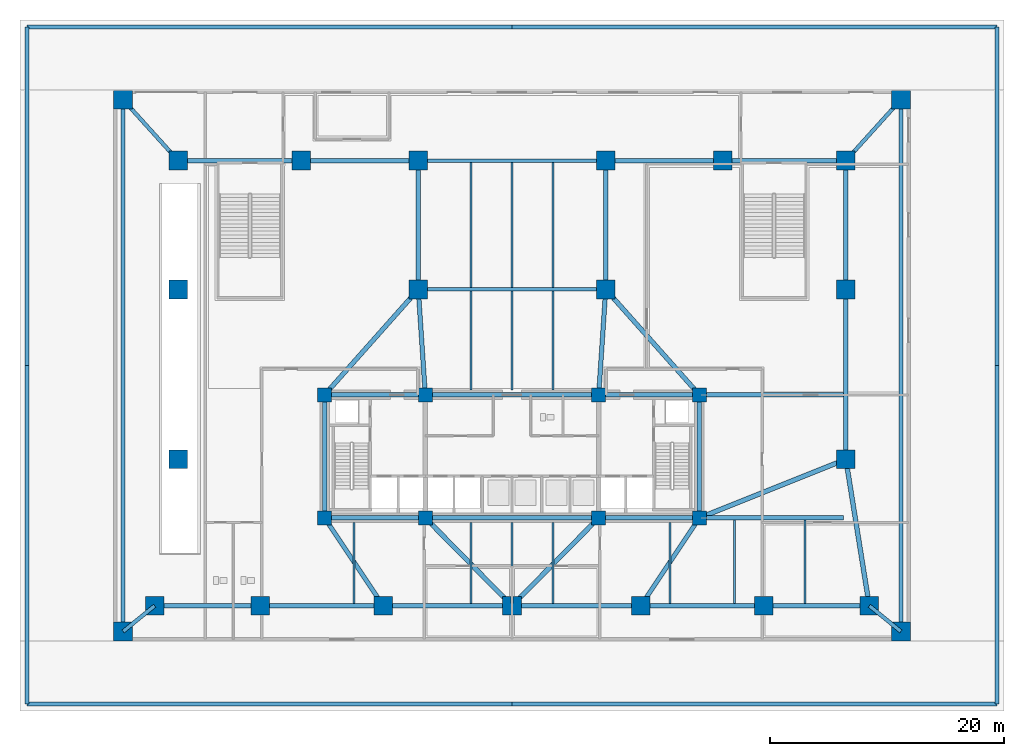
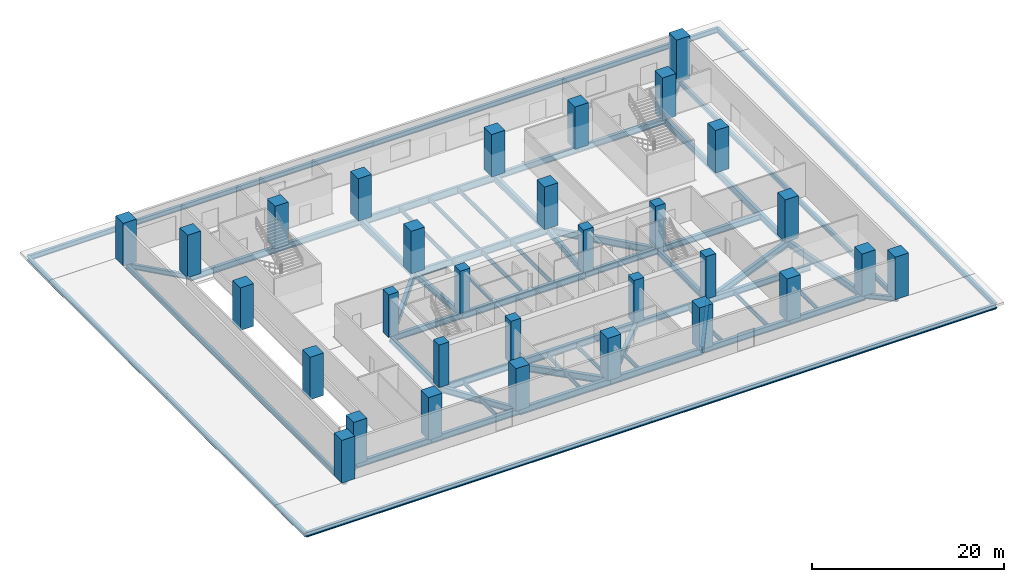
# One storey, part 1 of 15: 63 beams, 31 columns.
"""IFC4 building model written with IfcOpenShell, lengths in metres."""

from ifc_helpers import new_model, si_unit, direction, frame, origin, origin_2d, place, context, subcontext, project, spatial, rectangle, i_section, extrude, material, material_profile, profile_set, type_object, element, save


model = new_model("IFC4")

# Units and contexts
model_context = context("Model", 3, precision=1e-05, world=origin(), true_north=direction((0.0, 1.0)))
body_context = subcontext(model_context, "Body", "Model", "MODEL_VIEW")
ifc_project = project(units=[si_unit("LENGTHUNIT", "METRE"), si_unit("AREAUNIT", "SQUARE_METRE"), si_unit("VOLUMEUNIT", "CUBIC_METRE"), si_unit("PLANEANGLEUNIT", "RADIAN"), si_unit("MASSUNIT", "GRAM", prefix="KILO")], contexts=[model_context])

# Site, building, storey
site_placement = place(None, origin())
site = spatial("IfcSite", under=ifc_project, at=site_placement, CompositionType="ELEMENT")
building_placement = place(site_placement, origin())
building = spatial("IfcBuilding", under=site, at=building_placement, Name="Solmavex Isthmus Hotel", CompositionType="ELEMENT")
storey_placement = place(building_placement, origin())
storey = spatial("IfcBuildingStorey", under=building, at=storey_placement, Name="L01", CompositionType="ELEMENT", Elevation=0.0)

# Columns
ifc_material_1 = material(Name="Concrete C70/85", Category="concrete")
ifc_material_profile_1 = material_profile(ifc_material_1, rectangle(XDim=1.199951171875, YDim=1.199951171875, at=origin_2d()), Name="RC1200X1200")
ifc_profile_set_1 = profile_set([ifc_material_profile_1], Name="Concrete C70/85")
column_type_1 = type_object("IfcColumnType", Name="COL-CC-1200", PredefinedType="COLUMN", material=ifc_profile_set_1)
for number, where, z_axis, x_axis, name in (
    (1, (-16.0, -13.0, 0.0), (0.0, 0.0, 1.0), (1.0, 0.0, 0.0), "Core Pilaster CC-SW L01"),
    (2, (-7.39990234375, -13.0, 0.0), (0.0, 0.0, 1.0), (1.0, 0.0, 0.0), "Core Pilaster CC-S1 L01"),
    (3, (7.39990234375, -13.0, 0.0), (0.0, 0.0, 1.0), (1.0, 0.0, 0.0), "Core Pilaster CC-S2 L01"),
    (4, (16.0, -13.0, 0.0), (0.0, 0.0, 1.0), (1.0, 0.0, 0.0), "Core Pilaster CC-SE L01"),
    (5, (-16.0, -2.5, 0.0), (0.0, 0.0, 1.0), (1.0, 0.0, 0.0), "Core Pilaster CC-NW L01"),
    (6, (-7.39990234375, -2.5, 0.0), (0.0, 0.0, 1.0), (1.0, 0.0, 0.0), "Core Pilaster CC-N1 L01"),
    (7, (7.39990234375, -2.5, 0.0), (0.0, 0.0, 1.0), (1.0, 0.0, 0.0), "Core Pilaster CC-N2 L01"),
    (8, (16.0, -2.5, 0.0), (0.0, 0.0, 1.0), (1.0, 0.0, 0.0), "Core Pilaster CC-NE L01"),
):
    element("IfcColumn", number, at=place(storey_placement, frame(where, z_axis=z_axis, x_axis=x_axis)), inside=storey, type_object=column_type_1, Name=name, PredefinedType="COLUMN", context=body_context, shape_type="SweptSolid", body=[
        extrude(rectangle(XDim=1.199951171875, YDim=1.199951171875, at=origin_2d()), origin(), (0.0, 0.0, 1.0), 5.39990234375),
    ])
ifc_material_profile_2 = material_profile(ifc_material_1, rectangle(XDim=1.60009765625, YDim=1.60009765625, at=origin_2d()), Name="RC1600X1600")
ifc_profile_set_2 = profile_set([ifc_material_profile_2], Name="Concrete C70/85")
column_type_2 = type_object("IfcColumnType", Name="COL-MC-1600", PredefinedType="COLUMN", material=ifc_profile_set_2)
for number, where, z_axis, x_axis, name in (
    (9, (-33.199951171875, -22.699951171875, 0.0), (0.0, 0.0, 1.0), (1.0, 0.0, 0.0), "Podium Mega Column MC-SW L01"),
    (10, (33.199951171875, -22.699951171875, 0.0), (0.0, 0.0, 1.0), (1.0, 0.0, 0.0), "Podium Mega Column MC-SE L01"),
    (11, (-33.199951171875, 22.699951171875, 0.0), (0.0, 0.0, 1.0), (1.0, 0.0, 0.0), "Podium Mega Column MC-NW L01"),
    (12, (33.199951171875, 22.699951171875, 0.0), (0.0, 0.0, 1.0), (1.0, 0.0, 0.0), "Podium Mega Column MC-NE L01"),
    (13, (-30.5, -20.5, 0.0), (0.0, 0.0, 1.0), (1.0, 0.0, 0.0), "Podium Mega Column MC-S1 L01"),
    (14, (-21.5, -20.5, 0.0), (0.0, 0.0, 1.0), (1.0, 0.0, 0.0), "Podium Mega Column MC-S2 L01"),
    (15, (-11.0, -20.5, 0.0), (0.0, 0.0, 1.0), (1.0, 0.0, 0.0), "Podium Mega Column MC-S3 L01"),
    (16, (0.0, -20.5, 0.0), (0.0, 0.0, 1.0), (1.0, 0.0, 0.0), "Podium Mega Column MC-S4 L01"),
    (17, (11.0, -20.5, 0.0), (0.0, 0.0, 1.0), (1.0, 0.0, 0.0), "Podium Mega Column MC-S5 L01"),
    (18, (21.5, -20.5, 0.0), (0.0, 0.0, 1.0), (1.0, 0.0, 0.0), "Podium Mega Column MC-S6 L01"),
    (19, (30.5, -20.5, 0.0), (0.0, 0.0, 1.0), (1.0, 0.0, 0.0), "Podium Mega Column MC-S7 L01"),
    (20, (-28.5, -8.0, 0.0), (0.0, 0.0, 1.0), (1.0, 0.0, 0.0), "Podium Mega Column MC-W1 L01"),
    (21, (28.5, -8.0, 0.0), (0.0, 0.0, 1.0), (1.0, 0.0, 0.0), "Podium Mega Column MC-E1 L01"),
    (22, (-28.5, 6.5, 0.0), (0.0, 0.0, 1.0), (1.0, 0.0, 0.0), "Podium Mega Column MC-M1 L01"),
    (23, (-8.0, 6.5, 0.0), (0.0, 0.0, 1.0), (1.0, 0.0, 0.0), "Podium Mega Column MC-M2 L01"),
    (24, (8.0, 6.5, 0.0), (0.0, 0.0, 1.0), (1.0, 0.0, 0.0), "Podium Mega Column MC-M3 L01"),
    (25, (28.5, 6.5, 0.0), (0.0, 0.0, 1.0), (1.0, 0.0, 0.0), "Podium Mega Column MC-M4 L01"),
    (26, (-28.5, 17.5, 0.0), (0.0, 0.0, 1.0), (1.0, 0.0, 0.0), "Podium Mega Column MC-N1 L01"),
    (27, (-18.0, 17.5, 0.0), (0.0, 0.0, 1.0), (1.0, 0.0, 0.0), "Podium Mega Column MC-N2 L01"),
    (28, (-8.0, 17.5, 0.0), (0.0, 0.0, 1.0), (1.0, 0.0, 0.0), "Podium Mega Column MC-N3 L01"),
    (29, (8.0, 17.5, 0.0), (0.0, 0.0, 1.0), (1.0, 0.0, 0.0), "Podium Mega Column MC-N4 L01"),
    (30, (18.0, 17.5, 0.0), (0.0, 0.0, 1.0), (1.0, 0.0, 0.0), "Podium Mega Column MC-N5 L01"),
    (31, (28.5, 17.5, 0.0), (0.0, 0.0, 1.0), (1.0, 0.0, 0.0), "Podium Mega Column MC-N6 L01"),
):
    element("IfcColumn", number, at=place(storey_placement, frame(where, z_axis=z_axis, x_axis=x_axis)), inside=storey, type_object=column_type_2, Name=name, PredefinedType="COLUMN", context=body_context, shape_type="SweptSolid", body=[
        extrude(rectangle(XDim=1.60009765625, YDim=1.60009765625, at=origin_2d()), origin(), (0.0, 0.0, 1.0), 5.39990234375),
    ])

# Beams
ifc_material_2 = material(Name="Steel ASTM A992 Grade 50", Category="steel")
ifc_material_profile_3 = material_profile(ifc_material_2, i_section(OverallWidth=0.380615234375, OverallDepth=0.773193359375, WebThickness=0.0166015625, FlangeThickness=0.027099609375, FilletRadius=0.01904296875, at=origin_2d()), Name="W30X173")
ifc_profile_set_3 = profile_set([ifc_material_profile_3], Name="Steel ASTM A992 Grade 50")
beam_type_1 = type_object("IfcBeamType", Name="BM-BG-W30X173", PredefinedType="BEAM", material=ifc_profile_set_3)
beam_1_placement = place(storey_placement, frame((-30.5, -20.5, -0.6865234375), z_axis=(1.0, 0.0, 0.0), x_axis=(0.0, 1.0, 0.0)))
element("IfcBeam", 32, at=beam_1_placement, inside=storey, type_object=beam_type_1, Name="Podium Primary Girder L01-G01", PredefinedType="BEAM", context=body_context, shape_type="SweptSolid", body=[
    extrude(i_section(OverallWidth=0.380615234375, OverallDepth=0.773193359375, WebThickness=0.0166015625, FlangeThickness=0.027099609375, FilletRadius=0.01904296875, at=origin_2d()), origin(), (0.0, 0.0, 1.0), 9.0),
])
for number, where, z_axis, x_axis, name in (
    (33, (-21.5, -20.5, -0.6865234375), (1.0, 0.0, 0.0), (0.0, 1.0, 0.0), "Podium Primary Girder L01-G02"),
    (34, (11.0, -20.5, -0.6865234375), (1.0, 0.0, 0.0), (0.0, 1.0, 0.0), "Podium Primary Girder L01-G05"),
):
    element("IfcBeam", number, at=place(storey_placement, frame(where, z_axis=z_axis, x_axis=x_axis)), inside=storey, type_object=beam_type_1, Name=name, PredefinedType="BEAM", context=body_context, shape_type="SweptSolid", body=[
        extrude(i_section(OverallWidth=0.380615234375, OverallDepth=0.773193359375, WebThickness=0.0166015625, FlangeThickness=0.027099609375, FilletRadius=0.01904296875, at=origin_2d()), origin(), (0.0, 0.0, 1.0), 10.5),
    ])
beam_2_placement = place(storey_placement, frame((21.5, -20.5, -0.6865234375), z_axis=(1.0, 0.0, 0.0), x_axis=(0.0, 1.0, 0.0)))
element("IfcBeam", 35, at=beam_2_placement, inside=storey, type_object=beam_type_1, Name="Podium Primary Girder L01-G06", PredefinedType="BEAM", context=body_context, shape_type="SweptSolid", body=[
    extrude(i_section(OverallWidth=0.380615234375, OverallDepth=0.773193359375, WebThickness=0.0166015625, FlangeThickness=0.027099609375, FilletRadius=0.01904296875, at=origin_2d()), origin(), (0.0, 0.0, 1.0), 9.0),
])
beam_3_placement = place(storey_placement, frame((-28.5, 17.5, -0.6865234375), z_axis=(1.0, 0.0, 0.0), x_axis=(0.0, 1.0, 0.0)))
element("IfcBeam", 36, at=beam_3_placement, inside=storey, type_object=beam_type_1, Name="Podium Primary Girder L01-G07", PredefinedType="BEAM", context=body_context, shape_type="SweptSolid", body=[
    extrude(i_section(OverallWidth=0.380615234375, OverallDepth=0.773193359375, WebThickness=0.0166015625, FlangeThickness=0.027099609375, FilletRadius=0.01904296875, at=origin_2d()), origin(), (0.0, 0.0, 1.0), 10.5),
])
for number, where, z_axis, x_axis, name in (
    (37, (-18.0, 17.5, -0.6865234375), (1.0, 0.0, 0.0), (0.0, 1.0, 0.0), "Podium Primary Girder L01-G08"),
    (38, (8.0, 17.5, -0.6865234375), (1.0, 0.0, 0.0), (0.0, 1.0, 0.0), "Podium Primary Girder L01-G10"),
):
    element("IfcBeam", number, at=place(storey_placement, frame(where, z_axis=z_axis, x_axis=x_axis)), inside=storey, type_object=beam_type_1, Name=name, PredefinedType="BEAM", context=body_context, shape_type="SweptSolid", body=[
        extrude(i_section(OverallWidth=0.380615234375, OverallDepth=0.773193359375, WebThickness=0.0166015625, FlangeThickness=0.027099609375, FilletRadius=0.01904296875, at=origin_2d()), origin(), (0.0, 0.0, 1.0), 10.0),
    ])
beam_4_placement = place(storey_placement, frame((18.0, 17.5, -0.6865234375), z_axis=(1.0, 0.0, 0.0), x_axis=(0.0, 1.0, 0.0)))
element("IfcBeam", 39, at=beam_4_placement, inside=storey, type_object=beam_type_1, Name="Podium Primary Girder L01-G11", PredefinedType="BEAM", context=body_context, shape_type="SweptSolid", body=[
    extrude(i_section(OverallWidth=0.380615234375, OverallDepth=0.773193359375, WebThickness=0.0166015625, FlangeThickness=0.027099609375, FilletRadius=0.01904296875, at=origin_2d()), origin(), (0.0, 0.0, 1.0), 10.5),
])
for number, where, z_axis, x_axis, name in (
    (40, (-11.0, -20.5, -0.6865234375), (-0.554700196225, 0.832050294338, 0.0), (-0.832050294338, -0.554700196225, 0.0), "Podium Primary Girder L01-G21"),
    (41, (11.0, -20.5, -0.6865234375), (0.554700196225, 0.832050294338, 0.0), (-0.832050294338, 0.554700196225, 0.0), "Podium Primary Girder L01-G24"),
):
    element("IfcBeam", number, at=place(storey_placement, frame(where, z_axis=z_axis, x_axis=x_axis)), inside=storey, type_object=beam_type_1, Name=name, PredefinedType="BEAM", context=body_context, shape_type="SweptSolid", body=[
        extrude(i_section(OverallWidth=0.380615234375, OverallDepth=0.773193359375, WebThickness=0.0166015625, FlangeThickness=0.027099609375, FilletRadius=0.01904296875, at=origin_2d()), origin(), (0.0, 0.0, 1.0), 9.013916015625),
    ])
for number, where, z_axis, x_axis, name in (
    (42, (-7.39990234375, -2.5, -0.6865234375), (-0.066529789268, 0.997784439215, 0.0), (-0.997784439215, -0.066529789268, 0.0), "Podium Primary Girder L01-G26"),
    (43, (7.39990234375, -2.5, -0.6865234375), (0.066529789268, 0.997784439215, 0.0), (-0.997784439215, 0.066529789268, 0.0), "Podium Primary Girder L01-G27"),
):
    element("IfcBeam", number, at=place(storey_placement, frame(where, z_axis=z_axis, x_axis=x_axis)), inside=storey, type_object=beam_type_1, Name=name, PredefinedType="BEAM", context=body_context, shape_type="SweptSolid", body=[
        extrude(i_section(OverallWidth=0.380615234375, OverallDepth=0.773193359375, WebThickness=0.0166015625, FlangeThickness=0.027099609375, FilletRadius=0.01904296875, at=origin_2d()), origin(), (0.0, 0.0, 1.0), 9.02001953125),
    ])
for number, where, z_axis, x_axis, name in (
    (44, (-16.0, -13.0, -0.6865234375), (1.0, 0.0, 0.0), (0.0, 1.0, 0.0), "Podium Primary Girder L01-G33"),
    (45, (7.39990234375, -13.0, -0.6865234375), (1.0, 0.0, 0.0), (0.0, 1.0, 0.0), "Podium Primary Girder L01-G35"),
    (46, (-16.0, -2.5, -0.6865234375), (1.0, 0.0, 0.0), (0.0, 1.0, 0.0), "Podium Primary Girder L01-G36"),
    (47, (7.39990234375, -2.5, -0.6865234375), (1.0, 0.0, 0.0), (0.0, 1.0, 0.0), "Podium Primary Girder L01-G38"),
):
    element("IfcBeam", number, at=place(storey_placement, frame(where, z_axis=z_axis, x_axis=x_axis)), inside=storey, type_object=beam_type_1, Name=name, PredefinedType="BEAM", context=body_context, shape_type="SweptSolid", body=[
        extrude(i_section(OverallWidth=0.380615234375, OverallDepth=0.773193359375, WebThickness=0.0166015625, FlangeThickness=0.027099609375, FilletRadius=0.01904296875, at=origin_2d()), origin(), (0.0, 0.0, 1.0), 8.60009765625),
    ])
for number, where, z_axis, x_axis, name in (
    (48, (-16.0, -13.0, -0.6865234375), (0.0, 1.0, 0.0), (-1.0, 0.0, 0.0), "Podium Primary Girder L01-G39"),
    (49, (16.0, -13.0, -0.6865234375), (0.0, 1.0, 0.0), (-1.0, 0.0, 0.0), "Podium Primary Girder L01-G40"),
):
    element("IfcBeam", number, at=place(storey_placement, frame(where, z_axis=z_axis, x_axis=x_axis)), inside=storey, type_object=beam_type_1, Name=name, PredefinedType="BEAM", context=body_context, shape_type="SweptSolid", body=[
        extrude(i_section(OverallWidth=0.380615234375, OverallDepth=0.773193359375, WebThickness=0.0166015625, FlangeThickness=0.027099609375, FilletRadius=0.01904296875, at=origin_2d()), origin(), (0.0, 0.0, 1.0), 10.5),
    ])
for number, where, z_axis, x_axis, name in (
    (50, (16.0, -2.5, -0.6865234375), (1.0, 0.0, 0.0), (0.0, 1.0, 0.0), "Podium Wing Collector Girder L01-EW02"),
    (51, (16.0, -13.0, -0.6865234375), (1.0, 0.0, 0.0), (0.0, 1.0, 0.0), "Podium Wing Collector Girder L01-EW04"),
):
    element("IfcBeam", number, at=place(storey_placement, frame(where, z_axis=z_axis, x_axis=x_axis)), inside=storey, type_object=beam_type_1, Name=name, PredefinedType="BEAM", context=body_context, shape_type="SweptSolid", body=[
        extrude(i_section(OverallWidth=0.380615234375, OverallDepth=0.773193359375, WebThickness=0.0166015625, FlangeThickness=0.027099609375, FilletRadius=0.01904296875, at=origin_2d()), origin(), (0.0, 0.0, 1.0), 12.31005859375),
    ])
ifc_material_profile_4 = material_profile(ifc_material_2, i_section(OverallWidth=0.39990234375, OverallDepth=0.85546875, WebThickness=0.018310546875, FlangeThickness=0.029296875, FilletRadius=0.020263671875, at=origin_2d()), Name="W33X201")
ifc_profile_set_4 = profile_set([ifc_material_profile_4], Name="Steel ASTM A992 Grade 50")
beam_type_2 = type_object("IfcBeamType", Name="BM-BG-W33X201", PredefinedType="BEAM", material=ifc_profile_set_4)
for number, where, z_axis, x_axis, name in (
    (52, (-11.0, -20.5, -0.727783203125), (1.0, 0.0, 0.0), (0.0, 1.0, 0.0), "Podium Primary Girder L01-G03"),
    (53, (0.0, -20.5, -0.727783203125), (1.0, 0.0, 0.0), (0.0, 1.0, 0.0), "Podium Primary Girder L01-G04"),
):
    element("IfcBeam", number, at=place(storey_placement, frame(where, z_axis=z_axis, x_axis=x_axis)), inside=storey, type_object=beam_type_2, Name=name, PredefinedType="BEAM", context=body_context, shape_type="SweptSolid", body=[
        extrude(i_section(OverallWidth=0.39990234375, OverallDepth=0.85546875, WebThickness=0.018310546875, FlangeThickness=0.029296875, FilletRadius=0.020263671875, at=origin_2d()), origin(), (0.0, 0.0, 1.0), 11.0),
    ])
beam_5_placement = place(storey_placement, frame((30.5, -20.5, -0.727783203125), z_axis=(-0.157990501107, 0.987440631917, 0.0), x_axis=(-0.987440631917, -0.157990501107, 0.0)))
element("IfcBeam", 54, at=beam_5_placement, inside=storey, type_object=beam_type_2, Name="Podium Primary Girder L01-G15", PredefinedType="BEAM", context=body_context, shape_type="SweptSolid", body=[
    extrude(i_section(OverallWidth=0.39990234375, OverallDepth=0.85546875, WebThickness=0.018310546875, FlangeThickness=0.029296875, FilletRadius=0.020263671875, at=origin_2d()), origin(), (0.0, 0.0, 1.0), 12.658935546875),
])
beam_6_placement = place(storey_placement, frame((28.5, -8.0, -0.727783203125), z_axis=(0.0, 1.0, 0.0), x_axis=(-1.0, 0.0, 0.0)))
element("IfcBeam", 55, at=beam_6_placement, inside=storey, type_object=beam_type_2, Name="Podium Primary Girder L01-G16", PredefinedType="BEAM", context=body_context, shape_type="SweptSolid", body=[
    extrude(i_section(OverallWidth=0.39990234375, OverallDepth=0.85546875, WebThickness=0.018310546875, FlangeThickness=0.029296875, FilletRadius=0.020263671875, at=origin_2d()), origin(), (0.0, 0.0, 1.0), 14.5),
])
beam_7_placement = place(storey_placement, frame((28.5, 6.5, -0.727783203125), z_axis=(0.0, 1.0, 0.0), x_axis=(-1.0, 0.0, 0.0)))
element("IfcBeam", 56, at=beam_7_placement, inside=storey, type_object=beam_type_2, Name="Podium Primary Girder L01-G17", PredefinedType="BEAM", context=body_context, shape_type="SweptSolid", body=[
    extrude(i_section(OverallWidth=0.39990234375, OverallDepth=0.85546875, WebThickness=0.018310546875, FlangeThickness=0.029296875, FilletRadius=0.020263671875, at=origin_2d()), origin(), (0.0, 0.0, 1.0), 11.0),
])
for number, where, z_axis, x_axis, name in (
    (57, (0.0, -20.5, -0.727783203125), (-0.702340583794, 0.711841066781, 0.0), (-0.711841066781, -0.702340583794, 0.0), "Podium Primary Girder L01-G22"),
    (58, (0.0, -20.5, -0.727783203125), (0.702340583794, 0.711841066781, 0.0), (-0.711841066781, 0.702340583794, 0.0), "Podium Primary Girder L01-G23"),
):
    element("IfcBeam", number, at=place(storey_placement, frame(where, z_axis=z_axis, x_axis=x_axis)), inside=storey, type_object=beam_type_2, Name=name, PredefinedType="BEAM", context=body_context, shape_type="SweptSolid", body=[
        extrude(i_section(OverallWidth=0.39990234375, OverallDepth=0.85546875, WebThickness=0.018310546875, FlangeThickness=0.029296875, FilletRadius=0.020263671875, at=origin_2d()), origin(), (0.0, 0.0, 1.0), 10.5361328125),
    ])
for number, where, z_axis, x_axis, name in (
    (59, (-16.0, -2.5, -0.727783203125), (0.66436383883, 0.747409318684, 0.0), (-0.747409318684, 0.66436383883, 0.0), "Podium Primary Girder L01-G25"),
    (60, (16.0, -2.5, -0.727783203125), (-0.66436383883, 0.747409318684, 0.0), (-0.747409318684, -0.66436383883, 0.0), "Podium Primary Girder L01-G28"),
):
    element("IfcBeam", number, at=place(storey_placement, frame(where, z_axis=z_axis, x_axis=x_axis)), inside=storey, type_object=beam_type_2, Name=name, PredefinedType="BEAM", context=body_context, shape_type="SweptSolid", body=[
        extrude(i_section(OverallWidth=0.39990234375, OverallDepth=0.85546875, WebThickness=0.018310546875, FlangeThickness=0.029296875, FilletRadius=0.020263671875, at=origin_2d()), origin(), (0.0, 0.0, 1.0), 12.04150390625),
    ])
for number, where, z_axis, x_axis, name in (
    (61, (-8.0, 6.5, -0.727783203125), (0.0, 1.0, 0.0), (-1.0, 0.0, 0.0), "Podium Primary Girder L01-G29"),
    (62, (8.0, 6.5, -0.727783203125), (0.0, 1.0, 0.0), (-1.0, 0.0, 0.0), "Podium Primary Girder L01-G30"),
):
    element("IfcBeam", number, at=place(storey_placement, frame(where, z_axis=z_axis, x_axis=x_axis)), inside=storey, type_object=beam_type_2, Name=name, PredefinedType="BEAM", context=body_context, shape_type="SweptSolid", body=[
        extrude(i_section(OverallWidth=0.39990234375, OverallDepth=0.85546875, WebThickness=0.018310546875, FlangeThickness=0.029296875, FilletRadius=0.020263671875, at=origin_2d()), origin(), (0.0, 0.0, 1.0), 11.0),
    ])
beam_8_placement = place(storey_placement, frame((28.5, -8.0, -0.727783203125), z_axis=(-0.928476690885, -0.371390676354, 0.0), x_axis=(0.371390676354, -0.928476690885, 0.0)))
element("IfcBeam", 63, at=beam_8_placement, inside=storey, type_object=beam_type_2, Name="Podium Primary Girder L01-G32", PredefinedType="BEAM", context=body_context, shape_type="SweptSolid", body=[
    extrude(i_section(OverallWidth=0.39990234375, OverallDepth=0.85546875, WebThickness=0.018310546875, FlangeThickness=0.029296875, FilletRadius=0.020263671875, at=origin_2d()), origin(), (0.0, 0.0, 1.0), 13.462890625),
])
for number, where, z_axis, x_axis, name in (
    (64, (-7.39990234375, -13.0, -0.727783203125), (1.0, 0.0, 0.0), (0.0, 1.0, 0.0), "Podium Primary Girder L01-G34"),
    (65, (-7.39990234375, -2.5, -0.727783203125), (1.0, 0.0, 0.0), (0.0, 1.0, 0.0), "Podium Primary Girder L01-G37"),
):
    element("IfcBeam", number, at=place(storey_placement, frame(where, z_axis=z_axis, x_axis=x_axis)), inside=storey, type_object=beam_type_2, Name=name, PredefinedType="BEAM", context=body_context, shape_type="SweptSolid", body=[
        extrude(i_section(OverallWidth=0.39990234375, OverallDepth=0.85546875, WebThickness=0.018310546875, FlangeThickness=0.029296875, FilletRadius=0.020263671875, at=origin_2d()), origin(), (0.0, 0.0, 1.0), 14.7998046875),
    ])
ifc_material_profile_5 = material_profile(ifc_material_2, i_section(OverallWidth=0.307861328125, OverallDepth=0.94287109375, WebThickness=0.022216796875, FlangeThickness=0.039794921875, FilletRadius=0.024169921875, at=origin_2d()), Name="W36X232")
ifc_profile_set_5 = profile_set([ifc_material_profile_5], Name="Steel ASTM A992 Grade 50")
beam_type_3 = type_object("IfcBeamType", Name="BM-BG-W36X232", PredefinedType="BEAM", material=ifc_profile_set_5)
for number, where, z_axis, x_axis, name in (
    (66, (-8.0, 17.5, -0.771484375), (1.0, 0.0, 0.0), (0.0, 1.0, 0.0), "Podium Primary Girder L01-G09"),
    (67, (-8.0, 6.5, -0.771484375), (1.0, 0.0, 0.0), (0.0, 1.0, 0.0), "Podium Primary Girder L01-G19"),
):
    element("IfcBeam", number, at=place(storey_placement, frame(where, z_axis=z_axis, x_axis=x_axis)), inside=storey, type_object=beam_type_3, Name=name, PredefinedType="BEAM", context=body_context, shape_type="SweptSolid", body=[
        extrude(i_section(OverallWidth=0.307861328125, OverallDepth=0.94287109375, WebThickness=0.022216796875, FlangeThickness=0.039794921875, FilletRadius=0.024169921875, at=origin_2d()), origin(), (0.0, 0.0, 1.0), 16.0),
    ])
ifc_material_profile_6 = material_profile(ifc_material_2, i_section(OverallWidth=0.16650390625, OverallDepth=0.534912109375, WebThickness=0.01025390625, FlangeThickness=0.0166015625, FilletRadius=0.013916015625, at=origin_2d()), Name="W21X57")
ifc_profile_set_6 = profile_set([ifc_material_profile_6], Name="Steel ASTM A992 Grade 50")
beam_type_4 = type_object("IfcBeamType", Name="BM-BJ-W21X57", PredefinedType="JOIST", material=ifc_profile_set_6)
beam_9_placement = place(storey_placement, frame((-13.5, -20.309814453125, -0.5673828125), z_axis=(0.0, 1.0, 0.0), x_axis=(-1.0, 0.0, 0.0)))
element("IfcBeam", 68, at=beam_9_placement, inside=storey, type_object=beam_type_4, Name="Podium Composite Floor Joist L01-J01", PredefinedType="JOIST", context=body_context, shape_type="SweptSolid", body=[
    extrude(i_section(OverallWidth=0.16650390625, OverallDepth=0.534912109375, WebThickness=0.01025390625, FlangeThickness=0.0166015625, FilletRadius=0.013916015625, at=origin_2d()), origin(), (0.0, 0.0, 1.0), 6.909912109375),
])
beam_10_placement = place(storey_placement, frame((-3.5, -20.300048828125, -0.5673828125), z_axis=(0.0, 1.0, 0.0), x_axis=(-1.0, 0.0, 0.0)))
element("IfcBeam", 69, at=beam_10_placement, inside=storey, type_object=beam_type_4, Name="Podium Composite Floor Joist L01-J02", PredefinedType="JOIST", context=body_context, shape_type="SweptSolid", body=[
    extrude(i_section(OverallWidth=0.16650390625, OverallDepth=0.534912109375, WebThickness=0.01025390625, FlangeThickness=0.0166015625, FilletRadius=0.013916015625, at=origin_2d()), origin(), (0.0, 0.0, 1.0), 6.900146484375),
])
beam_11_placement = place(storey_placement, frame((-3.5, -2.10009765625, -0.5673828125), z_axis=(0.0, 1.0, 0.0), x_axis=(-1.0, 0.0, 0.0)))
element("IfcBeam", 70, at=beam_11_placement, inside=storey, type_object=beam_type_4, Name="Podium Composite Floor Joist L01-J03", PredefinedType="JOIST", context=body_context, shape_type="SweptSolid", body=[
    extrude(i_section(OverallWidth=0.16650390625, OverallDepth=0.534912109375, WebThickness=0.01025390625, FlangeThickness=0.0166015625, FilletRadius=0.013916015625, at=origin_2d()), origin(), (0.0, 0.0, 1.0), 8.4462890625),
])
beam_12_placement = place(storey_placement, frame((-3.5, 6.65380859375, -0.5673828125), z_axis=(0.0, 1.0, 0.0), x_axis=(-1.0, 0.0, 0.0)))
element("IfcBeam", 71, at=beam_12_placement, inside=storey, type_object=beam_type_4, Name="Podium Composite Floor Joist L01-J04", PredefinedType="JOIST", context=body_context, shape_type="SweptSolid", body=[
    extrude(i_section(OverallWidth=0.16650390625, OverallDepth=0.534912109375, WebThickness=0.01025390625, FlangeThickness=0.0166015625, FilletRadius=0.013916015625, at=origin_2d()), origin(), (0.0, 0.0, 1.0), 10.6923828125),
])
beam_13_placement = place(storey_placement, frame((0.0, -20.300048828125, -0.5673828125), z_axis=(0.0, 1.0, 0.0), x_axis=(-1.0, 0.0, 0.0)))
element("IfcBeam", 72, at=beam_13_placement, inside=storey, type_object=beam_type_4, Name="Podium Composite Floor Joist L01-J05", PredefinedType="JOIST", context=body_context, shape_type="SweptSolid", body=[
    extrude(i_section(OverallWidth=0.16650390625, OverallDepth=0.534912109375, WebThickness=0.01025390625, FlangeThickness=0.0166015625, FilletRadius=0.013916015625, at=origin_2d()), origin(), (0.0, 0.0, 1.0), 6.900146484375),
])
beam_14_placement = place(storey_placement, frame((0.0, -2.10009765625, -0.5673828125), z_axis=(0.0, 1.0, 0.0), x_axis=(-1.0, 0.0, 0.0)))
element("IfcBeam", 73, at=beam_14_placement, inside=storey, type_object=beam_type_4, Name="Podium Composite Floor Joist L01-J06", PredefinedType="JOIST", context=body_context, shape_type="SweptSolid", body=[
    extrude(i_section(OverallWidth=0.16650390625, OverallDepth=0.534912109375, WebThickness=0.01025390625, FlangeThickness=0.0166015625, FilletRadius=0.013916015625, at=origin_2d()), origin(), (0.0, 0.0, 1.0), 8.4462890625),
])
beam_15_placement = place(storey_placement, frame((0.0, 6.65380859375, -0.5673828125), z_axis=(0.0, 1.0, 0.0), x_axis=(-1.0, 0.0, 0.0)))
element("IfcBeam", 74, at=beam_15_placement, inside=storey, type_object=beam_type_4, Name="Podium Composite Floor Joist L01-J07", PredefinedType="JOIST", context=body_context, shape_type="SweptSolid", body=[
    extrude(i_section(OverallWidth=0.16650390625, OverallDepth=0.534912109375, WebThickness=0.01025390625, FlangeThickness=0.0166015625, FilletRadius=0.013916015625, at=origin_2d()), origin(), (0.0, 0.0, 1.0), 10.6923828125),
])
beam_16_placement = place(storey_placement, frame((3.5, -20.300048828125, -0.5673828125), z_axis=(0.0, 1.0, 0.0), x_axis=(-1.0, 0.0, 0.0)))
element("IfcBeam", 75, at=beam_16_placement, inside=storey, type_object=beam_type_4, Name="Podium Composite Floor Joist L01-J08", PredefinedType="JOIST", context=body_context, shape_type="SweptSolid", body=[
    extrude(i_section(OverallWidth=0.16650390625, OverallDepth=0.534912109375, WebThickness=0.01025390625, FlangeThickness=0.0166015625, FilletRadius=0.013916015625, at=origin_2d()), origin(), (0.0, 0.0, 1.0), 6.900146484375),
])
beam_17_placement = place(storey_placement, frame((3.5, -2.10009765625, -0.5673828125), z_axis=(0.0, 1.0, 0.0), x_axis=(-1.0, 0.0, 0.0)))
element("IfcBeam", 76, at=beam_17_placement, inside=storey, type_object=beam_type_4, Name="Podium Composite Floor Joist L01-J09", PredefinedType="JOIST", context=body_context, shape_type="SweptSolid", body=[
    extrude(i_section(OverallWidth=0.16650390625, OverallDepth=0.534912109375, WebThickness=0.01025390625, FlangeThickness=0.0166015625, FilletRadius=0.013916015625, at=origin_2d()), origin(), (0.0, 0.0, 1.0), 8.4462890625),
])
beam_18_placement = place(storey_placement, frame((3.5, 6.65380859375, -0.5673828125), z_axis=(0.0, 1.0, 0.0), x_axis=(-1.0, 0.0, 0.0)))
element("IfcBeam", 77, at=beam_18_placement, inside=storey, type_object=beam_type_4, Name="Podium Composite Floor Joist L01-J10", PredefinedType="JOIST", context=body_context, shape_type="SweptSolid", body=[
    extrude(i_section(OverallWidth=0.16650390625, OverallDepth=0.534912109375, WebThickness=0.01025390625, FlangeThickness=0.0166015625, FilletRadius=0.013916015625, at=origin_2d()), origin(), (0.0, 0.0, 1.0), 10.6923828125),
])
beam_19_placement = place(storey_placement, frame((13.5, -20.309814453125, -0.5673828125), z_axis=(0.0, 1.0, 0.0), x_axis=(-1.0, 0.0, 0.0)))
element("IfcBeam", 78, at=beam_19_placement, inside=storey, type_object=beam_type_4, Name="Podium Composite Floor Joist L01-J11", PredefinedType="JOIST", context=body_context, shape_type="SweptSolid", body=[
    extrude(i_section(OverallWidth=0.16650390625, OverallDepth=0.534912109375, WebThickness=0.01025390625, FlangeThickness=0.0166015625, FilletRadius=0.013916015625, at=origin_2d()), origin(), (0.0, 0.0, 1.0), 6.909912109375),
])
for number, where, z_axis, x_axis, name in (
    (79, (19.0, -20.309814453125, -0.5673828125), (0.0, 1.0, 0.0), (-1.0, 0.0, 0.0), "Podium Composite Floor Joist L01-J12"),
    (80, (25.0, -20.309814453125, -0.5673828125), (0.0, 1.0, 0.0), (-1.0, 0.0, 0.0), "Podium Composite Floor Joist L01-J13"),
):
    element("IfcBeam", number, at=place(storey_placement, frame(where, z_axis=z_axis, x_axis=x_axis)), inside=storey, type_object=beam_type_4, Name=name, PredefinedType="JOIST", context=body_context, shape_type="SweptSolid", body=[
        extrude(i_section(OverallWidth=0.16650390625, OverallDepth=0.534912109375, WebThickness=0.01025390625, FlangeThickness=0.0166015625, FilletRadius=0.013916015625, at=origin_2d()), origin(), (0.0, 0.0, 1.0), 7.11962890625),
    ])
ifc_material_profile_7 = material_profile(ifc_material_2, i_section(OverallWidth=0.326416015625, OverallDepth=0.621826171875, WebThickness=0.015380859375, FlangeThickness=0.0244140625, FilletRadius=0.01513671875, at=origin_2d()), Name="W24X131")
ifc_profile_set_7 = profile_set([ifc_material_profile_7], Name="Steel ASTM A992 Grade 50")
beam_type_5 = type_object("IfcBeamType", Name="BM-SP-W24X131", PredefinedType="SPANDREL", material=ifc_profile_set_7)
for number, where, z_axis, x_axis, name in (
    (81, (-33.199951171875, -22.699951171875, -0.61083984375), (0.77523625691, 0.631671390814, 0.0), (-0.631671390814, 0.77523625691, 0.0), "Podium Corner Perimeter Girder L01-CR01"),
    (82, (30.5, -20.5, -0.61083984375), (0.77523625691, -0.631671390814, 0.0), (0.631671390814, 0.77523625691, 0.0), "Podium Corner Perimeter Girder L01-CR02"),
):
    element("IfcBeam", number, at=place(storey_placement, frame(where, z_axis=z_axis, x_axis=x_axis)), inside=storey, type_object=beam_type_5, Name=name, PredefinedType="SPANDREL", context=body_context, shape_type="SweptSolid", body=[
        extrude(i_section(OverallWidth=0.326416015625, OverallDepth=0.621826171875, WebThickness=0.015380859375, FlangeThickness=0.0244140625, FilletRadius=0.01513671875, at=origin_2d()), origin(), (0.0, 0.0, 1.0), 3.482666015625),
    ])
for number, where, z_axis, x_axis, name in (
    (83, (-33.199951171875, -22.699951171875, -0.61083984375), (0.0, 1.0, 0.0), (-1.0, 0.0, 0.0), "Podium Corner Perimeter Girder L01-CR03"),
    (84, (33.199951171875, -22.699951171875, -0.61083984375), (0.0, 1.0, 0.0), (-1.0, 0.0, 0.0), "Podium Corner Perimeter Girder L01-CR04"),
):
    element("IfcBeam", number, at=place(storey_placement, frame(where, z_axis=z_axis, x_axis=x_axis)), inside=storey, type_object=beam_type_5, Name=name, PredefinedType="SPANDREL", context=body_context, shape_type="SweptSolid", body=[
        extrude(i_section(OverallWidth=0.326416015625, OverallDepth=0.621826171875, WebThickness=0.015380859375, FlangeThickness=0.0244140625, FilletRadius=0.01513671875, at=origin_2d()), origin(), (0.0, 0.0, 1.0), 45.39990234375),
    ])
for number, where, z_axis, x_axis, name in (
    (85, (-33.199951171875, 22.699951171875, -0.61083984375), (0.670539300557, -0.741874009795, 0.0), (0.741874009795, 0.670539300557, 0.0), "Podium Corner Perimeter Girder L01-CR05"),
    (86, (28.5, 17.5, -0.61083984375), (0.670539300557, 0.741874009795, 0.0), (-0.741874009795, 0.670539300557, 0.0), "Podium Corner Perimeter Girder L01-CR06"),
):
    element("IfcBeam", number, at=place(storey_placement, frame(where, z_axis=z_axis, x_axis=x_axis)), inside=storey, type_object=beam_type_5, Name=name, PredefinedType="SPANDREL", context=body_context, shape_type="SweptSolid", body=[
        extrude(i_section(OverallWidth=0.326416015625, OverallDepth=0.621826171875, WebThickness=0.015380859375, FlangeThickness=0.0244140625, FilletRadius=0.01513671875, at=origin_2d()), origin(), (0.0, 0.0, 1.0), 7.00927734375),
    ])
for number, where, z_axis, x_axis, name in (
    (87, (-41.39990234375, 28.89990234375, -0.61083984375), (1.0, 0.0, 0.0), (0.0, 1.0, 0.0), "Plaza Perimeter Support Girder APG-01"),
    (88, (0.0, 28.89990234375, -0.61083984375), (1.0, 0.0, 0.0), (0.0, 1.0, 0.0), "Plaza Perimeter Support Girder APG-02"),
    (89, (-41.39990234375, -28.89990234375, -0.61083984375), (1.0, 0.0, 0.0), (0.0, 1.0, 0.0), "Plaza Perimeter Support Girder APG-03"),
    (90, (0.0, -28.89990234375, -0.61083984375), (1.0, 0.0, 0.0), (0.0, 1.0, 0.0), "Plaza Perimeter Support Girder APG-04"),
):
    element("IfcBeam", number, at=place(storey_placement, frame(where, z_axis=z_axis, x_axis=x_axis)), inside=storey, type_object=beam_type_5, Name=name, PredefinedType="SPANDREL", context=body_context, shape_type="SweptSolid", body=[
        extrude(i_section(OverallWidth=0.326416015625, OverallDepth=0.621826171875, WebThickness=0.015380859375, FlangeThickness=0.0244140625, FilletRadius=0.01513671875, at=origin_2d()), origin(), (0.0, 0.0, 1.0), 41.39990234375),
    ])
for number, where, z_axis, x_axis, name in (
    (91, (-41.39990234375, 28.89990234375, -0.61083984375), (0.0, -1.0, 0.0), (1.0, 0.0, 0.0), "Plaza Perimeter Support Girder APG-05"),
    (92, (-41.39990234375, 0.0, -0.61083984375), (0.0, -1.0, 0.0), (1.0, 0.0, 0.0), "Plaza Perimeter Support Girder APG-06"),
    (93, (41.39990234375, 28.89990234375, -0.61083984375), (0.0, -1.0, 0.0), (1.0, 0.0, 0.0), "Plaza Perimeter Support Girder APG-07"),
    (94, (41.39990234375, 0.0, -0.61083984375), (0.0, -1.0, 0.0), (1.0, 0.0, 0.0), "Plaza Perimeter Support Girder APG-08"),
):
    element("IfcBeam", number, at=place(storey_placement, frame(where, z_axis=z_axis, x_axis=x_axis)), inside=storey, type_object=beam_type_5, Name=name, PredefinedType="SPANDREL", context=body_context, shape_type="SweptSolid", body=[
        extrude(i_section(OverallWidth=0.326416015625, OverallDepth=0.621826171875, WebThickness=0.015380859375, FlangeThickness=0.0244140625, FilletRadius=0.01513671875, at=origin_2d()), origin(), (0.0, 0.0, 1.0), 28.89990234375),
    ])

save(model, "model.ifc")
